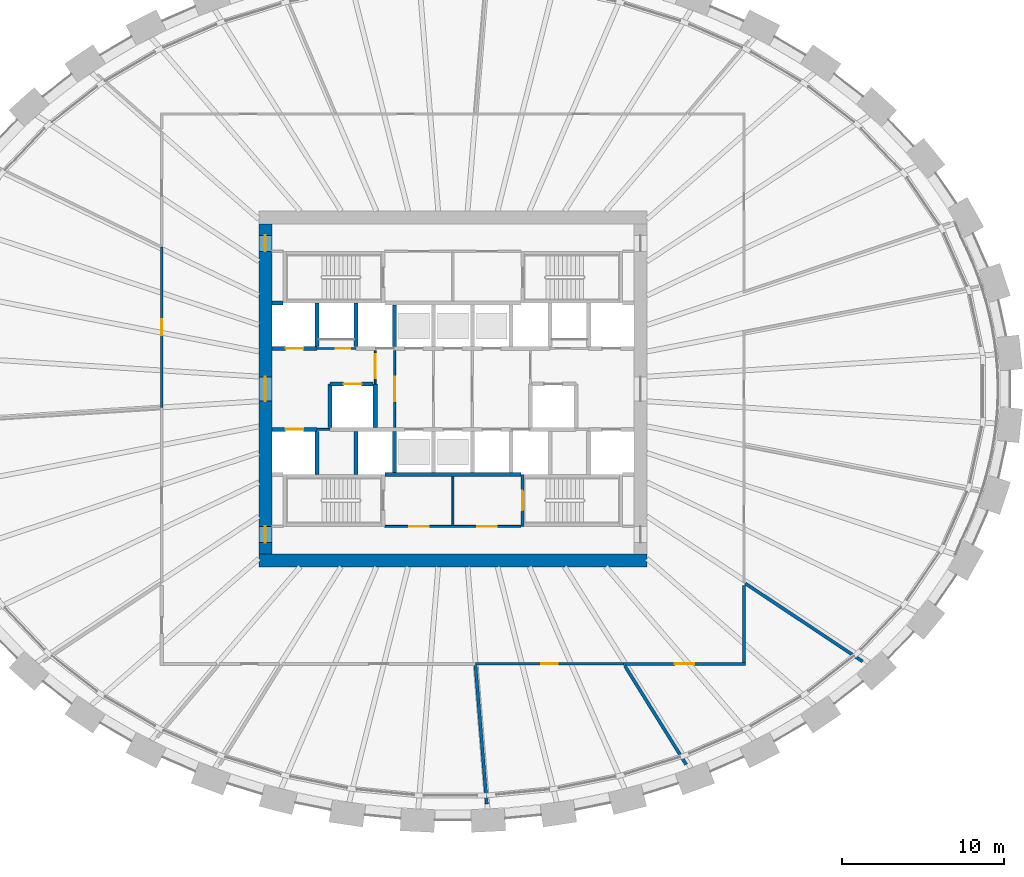
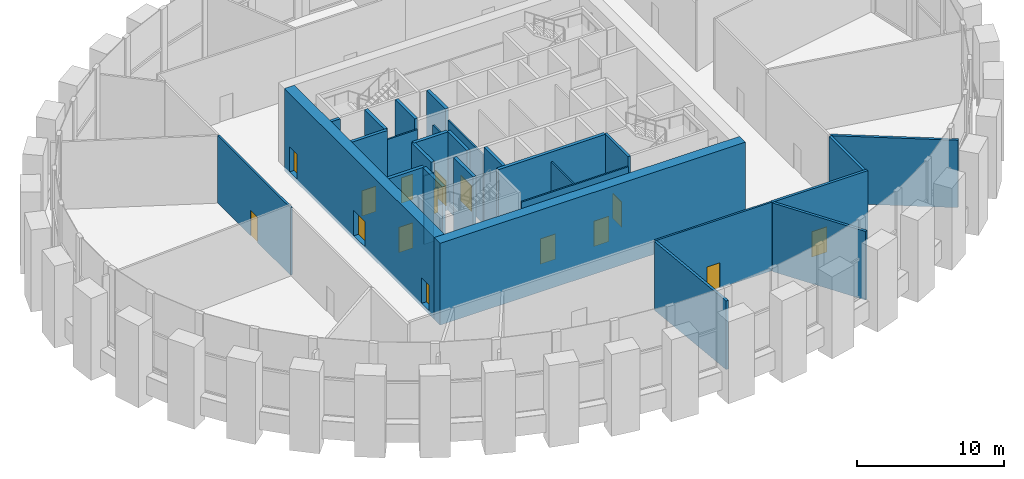
# One storey, part 8 of 16: 29 walls, 15 doors, 15 openings.
"""IFC4 building model written with IfcOpenShell, lengths in metres."""

from ifc_helpers import new_model, si_unit, direction, frame, frame_2d, origin, place, context, subcontext, project, spatial, rectangle, extrude, source, transform, mapped, material, layer, layer_set, type_object, element, fill, save


model = new_model("IFC4")

# Units and contexts
model_context = context("Model", 3, precision=1e-05, world=origin(), true_north=direction((0.0, 1.0)))
body_context = subcontext(model_context, "Body", "Model", "MODEL_VIEW")
ifc_project = project(units=[si_unit("LENGTHUNIT", "METRE"), si_unit("AREAUNIT", "SQUARE_METRE"), si_unit("VOLUMEUNIT", "CUBIC_METRE"), si_unit("PLANEANGLEUNIT", "RADIAN"), si_unit("MASSUNIT", "GRAM", prefix="KILO")], contexts=[model_context])

# Site, building, storey
site_placement = place(None, origin())
site = spatial("IfcSite", under=ifc_project, at=site_placement, CompositionType="ELEMENT")
building_placement = place(site_placement, origin())
building = spatial("IfcBuilding", under=site, at=building_placement, Name="Embergate Tower", CompositionType="ELEMENT")
storey_placement = place(building_placement, frame((0.0, 0.0, 234.60009765625)))
storey = spatial("IfcBuildingStorey", under=building, at=storey_placement, Name="L54", CompositionType="ELEMENT", Elevation=234.60009765625)

# Wall
ifc_material_1 = material(Name="Concrete C70", Category="concrete")
ifc_layer_1 = layer(ifc_material_1, 0.800048828125)
ifc_layer_set_1 = layer_set([ifc_layer_1], Name="Concrete C70")
wall_type_1 = type_object("IfcWallType", Name="Core outer wall C70 800", PredefinedType="SHEAR", material=ifc_layer_set_1)
shared_shape_1 = source(origin(), body_context, "Body", "SweptSolid", [
    extrude(rectangle(XDim=24.0, YDim=0.800048828125, at=frame_2d((12.0, 0.0))), origin(), (0.0, 0.0, 1.0), 6.800048828125),
])
wall_1_placement = place(storey_placement, frame((-12.0, -10.60009765625, -0.300048828125), z_axis=(0.0, 0.0, 1.0), x_axis=(1.0, 0.0, 0.0)))
element("IfcWall", 1, at=wall_1_placement, inside=storey, type_object=wall_type_1, Name="CW-L54-S", PredefinedType="SHEAR", context=body_context, shape_type="MappedRepresentation", body=[
    mapped(shared_shape_1, transform((0.0, 0.0, 0.0))),
])

# Wall, openings, doors
shared_shape_2 = source(origin(), body_context, "Body", "SweptSolid", [
    extrude(rectangle(XDim=20.39990234375, YDim=0.800048828125, at=frame_2d((10.199951171875, 0.0))), origin(), (0.0, 0.0, 1.0), 6.800048828125),
])
wall_2_placement = place(storey_placement, frame((-11.60009765625, -10.199951171875, -0.300048828125), z_axis=(0.0, 0.0, 1.0), x_axis=(0.0, 1.0, 0.0)))
wall_2 = element("IfcWall", 2, at=wall_2_placement, inside=storey, type_object=wall_type_1, Name="CW-L54-W", PredefinedType="SHEAR", context=body_context, shape_type="MappedRepresentation", body=[
    mapped(shared_shape_2, transform((0.0, 0.0, 0.0))),
])
shared_shape_3 = source(origin(), body_context, "Body", "SweptSolid", [
    extrude(rectangle(XDim=1.0, YDim=2.10009765625, at=frame_2d((0.5, 1.050048828125))), frame((0.0, 0.409912109375, 0.0), z_axis=(0.0, -1.0, 0.0), x_axis=(1.0, 0.0, 0.0)), (0.0, 0.0, 1.0), 0.820068359375),
])
opening_1_placement = place(wall_2_placement, frame((18.699951171875, 0.0, 0.300048828125)))
opening_1 = element("IfcOpeningElement", 3, at=opening_1_placement, cuts=wall_2, Name="Opening IF-1d", PredefinedType="OPENING", context=body_context, shape_type="MappedRepresentation", body=[
    mapped(shared_shape_3, transform((0.0, 0.0, 0.0))),
])
opening_2_placement = place(wall_2_placement, frame((0.699951171875, 0.0, 0.300048828125)))
opening_2 = element("IfcOpeningElement", 4, at=opening_2_placement, cuts=wall_2, Name="Opening IF-1d", PredefinedType="OPENING", context=body_context, shape_type="MappedRepresentation", body=[
    mapped(shared_shape_3, transform((0.0, 0.0, 0.0))),
])
shared_shape_4 = source(origin(), body_context, "Body", "SweptSolid", [
    extrude(rectangle(XDim=1.5, YDim=2.10009765625, at=frame_2d((0.75, 1.050048828125))), frame((0.0, 0.409912109375, 0.0), z_axis=(0.0, -1.0, 0.0), x_axis=(1.0, 0.0, 0.0)), (0.0, 0.0, 1.0), 0.820068359375),
])
opening_3_placement = place(wall_2_placement, frame((9.449951171875, 0.0, 0.300048828125)))
opening_3 = element("IfcOpeningElement", 5, at=opening_3_placement, cuts=wall_2, Name="Opening IF-3", PredefinedType="OPENING", context=body_context, shape_type="MappedRepresentation", body=[
    mapped(shared_shape_4, transform((0.0, 0.0, 0.0))),
])
ifc_material_2 = material(Name="Lobby fire door pair 1500")
door_type_1 = type_object("IfcDoorType", Name="Lobby fire door pair 1500", OperationType="DOUBLE_DOOR_SINGLE_SWING", PredefinedType="DOOR", material=ifc_material_2)
shared_shape_5 = source(origin(), body_context, "Body", "SweptSolid", [
    extrude(rectangle(XDim=1.5, YDim=2.10009765625, at=frame_2d((0.75, 1.050048828125))), frame((0.0, 0.02490234375, 0.0), z_axis=(0.0, -1.0, 0.0), x_axis=(1.0, 0.0, 0.0)), (0.0, 0.0, 1.0), 0.050048828125),
])
door_1_placement = place(opening_3_placement, origin())
door_1 = element("IfcDoor", 6, at=door_1_placement, inside=storey, type_object=door_type_1, Name="IF-3 door", OperationType="DOUBLE_DOOR_SINGLE_SWING", OverallHeight=2.10009765625, OverallWidth=1.5, PredefinedType="DOOR", context=body_context, shape_type="MappedRepresentation", body=[
    mapped(shared_shape_5, transform((0.0, 0.0, 0.0))),
])
fill(opening_3, door_1)
ifc_material_3 = material(Name="Escape fire door 1000")
door_type_2 = type_object("IfcDoorType", Name="Escape fire door 1000", OperationType="SINGLE_SWING_LEFT", PredefinedType="DOOR", material=ifc_material_3)
shared_shape_6 = source(origin(), body_context, "Body", "SweptSolid", [
    extrude(rectangle(XDim=1.0, YDim=2.10009765625, at=frame_2d((0.5, 1.050048828125))), frame((0.0, 0.02490234375, 0.0), z_axis=(0.0, -1.0, 0.0), x_axis=(1.0, 0.0, 0.0)), (0.0, 0.0, 1.0), 0.050048828125),
])
door_2_placement = place(opening_1_placement, origin())
door_2 = element("IfcDoor", 7, at=door_2_placement, inside=storey, type_object=door_type_2, Name="IF-1 door", OperationType="SINGLE_SWING_RIGHT", OverallHeight=2.10009765625, OverallWidth=1.0, PredefinedType="DOOR", context=body_context, shape_type="MappedRepresentation", body=[
    mapped(shared_shape_6, transform((0.0, 0.0, 0.0))),
])
fill(opening_1, door_2)
door_3_placement = place(opening_2_placement, origin())
door_3 = element("IfcDoor", 8, at=door_3_placement, inside=storey, type_object=door_type_2, Name="IF-1 door", OperationType="SINGLE_SWING_RIGHT", OverallHeight=2.10009765625, OverallWidth=1.0, PredefinedType="DOOR", context=body_context, shape_type="MappedRepresentation", body=[
    mapped(shared_shape_6, transform((0.0, 0.0, 0.0))),
])
fill(opening_2, door_3)

# Walls
ifc_material_4 = material(Name="Concrete C50", Category="concrete")
ifc_layer_2 = layer(ifc_material_4, 0.25)
ifc_layer_set_2 = layer_set([ifc_layer_2], Name="Concrete C50")
wall_type_2 = type_object("IfcWallType", Name="Hoistway wall reinforced concrete 250", PredefinedType="SHEAR", material=ifc_layer_set_2)
shared_shape_7 = source(origin(), body_context, "Body", "SweptSolid", [
    extrude(rectangle(XDim=2.675048828125, YDim=0.25, at=frame_2d((1.33740234375, 0.0))), origin(), (0.0, 0.0, 1.0), 6.5),
])
for number, where, z_axis, x_axis, name in (
    (9, (-8.39990234375, 2.625, 0.0), (0.0, 0.0, 1.0), (0.0, 1.0, 0.0), "HW-1 wall"),
    (10, (-6.0, 2.625, 0.0), (0.0, 0.0, 1.0), (0.0, 1.0, 0.0), "HW-1 wall"),
    (11, (-4.800048828125, 0.300048828125, 0.0), (0.0, 0.0, 1.0), (0.0, -1.0, 0.0), "HW-1 wall"),
):
    element("IfcWall", number, at=place(storey_placement, frame(where, z_axis=z_axis, x_axis=x_axis)), inside=storey, type_object=wall_type_2, Name=name, PredefinedType="SHEAR", context=body_context, shape_type="MappedRepresentation", body=[
        mapped(shared_shape_7, transform((0.0, 0.0, 0.0))),
    ])

# Wall, opening, door
wall_3_placement = place(storey_placement, frame((-4.925048828125, 0.300048828125, 0.0), z_axis=(0.0, 0.0, 1.0), x_axis=(-1.0, 0.0, 0.0)))
wall_3 = element("IfcWall", 12, at=wall_3_placement, inside=storey, type_object=wall_type_2, Name="HW-1 wall", PredefinedType="SHEAR", context=body_context, shape_type="MappedRepresentation", body=[
    mapped(shared_shape_7, transform((0.0, 0.0, 0.0))),
])
shared_shape_8 = source(origin(), body_context, "Body", "SweptSolid", [
    extrude(rectangle(XDim=1.10009765625, YDim=2.10009765625, at=frame_2d((0.550048828125, 1.050048828125))), frame((0.0, 0.135009765625, 0.0), z_axis=(0.0, -1.0, 0.0), x_axis=(1.0, 0.0, 0.0)), (0.0, 0.0, 1.0), 0.27001953125),
])
opening_4_placement = place(wall_3_placement, frame((0.72509765625, 0.0, 0.0)))
opening_4 = element("IfcOpeningElement", 13, at=opening_4_placement, cuts=wall_3, Name="Opening LD", PredefinedType="OPENING", context=body_context, shape_type="MappedRepresentation", body=[
    mapped(shared_shape_8, transform((0.0, 0.0, 0.0))),
])
ifc_material_5 = material(Name="Landing door sliding 1100")
door_type_3 = type_object("IfcDoorType", Name="Landing door sliding 1100", OperationType="SLIDING_TO_LEFT", PredefinedType="DOOR", material=ifc_material_5)
shared_shape_9 = source(origin(), body_context, "Body", "SweptSolid", [
    extrude(rectangle(XDim=1.10009765625, YDim=2.10009765625, at=frame_2d((0.550048828125, 1.050048828125))), frame((0.0, 0.02490234375, 0.0), z_axis=(0.0, -1.0, 0.0), x_axis=(1.0, 0.0, 0.0)), (0.0, 0.0, 1.0), 0.050048828125),
])
door_4_placement = place(opening_4_placement, origin())
door_4 = element("IfcDoor", 14, at=door_4_placement, inside=storey, type_object=door_type_3, Name="LD door", OperationType="SLIDING_TO_LEFT", OverallHeight=2.10009765625, OverallWidth=1.10009765625, PredefinedType="DOOR", context=body_context, shape_type="MappedRepresentation", body=[
    mapped(shared_shape_9, transform((0.0, 0.0, 0.0))),
])
fill(opening_4, door_4)

# Wall
wall_4_placement = place(storey_placement, frame((-7.60009765625, 0.300048828125, 0.0), z_axis=(0.0, 0.0, 1.0), x_axis=(0.0, -1.0, 0.0)))
element("IfcWall", 15, at=wall_4_placement, inside=storey, type_object=wall_type_2, Name="HW-1 wall", PredefinedType="SHEAR", context=body_context, shape_type="MappedRepresentation", body=[
    mapped(shared_shape_7, transform((0.0, 0.0, 0.0))),
])

# Wall, opening, door
ifc_material_6 = material(Name="Core partition blockwork 120")
ifc_layer_3 = layer(ifc_material_6, 0.1201171875)
ifc_layer_set_3 = layer_set([ifc_layer_3], Name="Core partition blockwork 120")
wall_type_3 = type_object("IfcWallType", Name="Core partition blockwork 120", PredefinedType="PARTITIONING", material=ifc_layer_set_3)
shared_shape_10 = source(origin(), body_context, "Body", "SweptSolid", [
    extrude(rectangle(XDim=2.39990234375, YDim=0.1201171875, at=frame_2d((1.199951171875, 0.0))), origin(), (0.0, 0.0, 1.0), 5.699951171875),
])
wall_5_placement = place(storey_placement, frame((-8.39990234375, 2.5, 0.0), z_axis=(0.0, 0.0, 1.0), x_axis=(1.0, 0.0, 0.0)))
wall_5 = element("IfcWall", 16, at=wall_5_placement, inside=storey, type_object=wall_type_3, Name="IP-3 wall", PredefinedType="PARTITIONING", context=body_context, shape_type="MappedRepresentation", body=[
    mapped(shared_shape_10, transform((0.0, 0.0, 0.0))),
])
shared_shape_11 = source(origin(), body_context, "Body", "SweptSolid", [
    extrude(rectangle(XDim=0.89990234375, YDim=2.10009765625, at=frame_2d((0.449951171875, 1.050048828125))), frame((0.0, 0.070068359375, 0.0), z_axis=(0.0, -1.0, 0.0), x_axis=(1.0, 0.0, 0.0)), (0.0, 0.0, 1.0), 0.14013671875),
])
opening_5_placement = place(wall_5_placement, frame((1.14990234375, 0.0, 0.0)))
opening_5 = element("IfcOpeningElement", 17, at=opening_5_placement, cuts=wall_5, Name="Opening ID-1", PredefinedType="OPENING", context=body_context, shape_type="MappedRepresentation", body=[
    mapped(shared_shape_11, transform((0.0, 0.0, 0.0))),
])
ifc_material_7 = material(Name="Interior door 900")
door_type_4 = type_object("IfcDoorType", Name="Interior door 900", OperationType="SINGLE_SWING_LEFT", PredefinedType="DOOR", material=ifc_material_7)
shared_shape_12 = source(origin(), body_context, "Body", "SweptSolid", [
    extrude(rectangle(XDim=0.89990234375, YDim=2.10009765625, at=frame_2d((0.449951171875, 1.050048828125))), frame((0.0, 0.02490234375, 0.0), z_axis=(0.0, -1.0, 0.0), x_axis=(1.0, 0.0, 0.0)), (0.0, 0.0, 1.0), 0.050048828125),
])
door_5_placement = place(opening_5_placement, origin())
door_5 = element("IfcDoor", 18, at=door_5_placement, inside=storey, type_object=door_type_4, Name="ID-1 door", OperationType="SINGLE_SWING_LEFT", OverallHeight=2.10009765625, OverallWidth=0.89990234375, PredefinedType="DOOR", context=body_context, shape_type="MappedRepresentation", body=[
    mapped(shared_shape_12, transform((0.0, 0.0, 0.0))),
])
fill(opening_5, door_5)

# Walls
shared_shape_13 = source(origin(), body_context, "Body", "SweptSolid", [
    extrude(rectangle(XDim=2.550048828125, YDim=0.25, at=frame_2d((1.27490234375, 0.0))), origin(), (0.0, 0.0, 1.0), 6.5),
])
for number, where, z_axis, x_axis, name in (
    (19, (-3.60009765625, 2.625, 0.0), (0.0, 0.0, 1.0), (0.0, 1.0, 0.0), "HW-1 wall"),
    (20, (-3.60009765625, -5.175048828125, 0.0), (0.0, 0.0, 1.0), (0.0, 1.0, 0.0), "HW-1 wall"),
):
    element("IfcWall", number, at=place(storey_placement, frame(where, z_axis=z_axis, x_axis=x_axis)), inside=storey, type_object=wall_type_2, Name=name, PredefinedType="SHEAR", context=body_context, shape_type="MappedRepresentation", body=[
        mapped(shared_shape_13, transform((0.0, 0.0, 0.0))),
    ])
shared_shape_14 = source(origin(), body_context, "Body", "SweptSolid", [
    extrude(rectangle(XDim=8.39990234375, YDim=0.25, at=frame_2d((4.199951171875, 0.0))), origin(), (0.0, 0.0, 1.0), 6.5),
])
wall_6_placement = place(storey_placement, frame((-4.199951171875, -5.300048828125, 0.0), z_axis=(0.0, 0.0, 1.0), x_axis=(1.0, 0.0, 0.0)))
element("IfcWall", 21, at=wall_6_placement, inside=storey, type_object=wall_type_2, Name="HW-1 wall", PredefinedType="SHEAR", context=body_context, shape_type="MappedRepresentation", body=[
    mapped(shared_shape_14, transform((0.0, 0.0, 0.0))),
])

# Wall, opening, door
shared_shape_15 = source(origin(), body_context, "Body", "SweptSolid", [
    extrude(rectangle(XDim=4.75, YDim=0.1201171875, at=frame_2d((2.375, 0.0))), origin(), (0.0, 0.0, 1.0), 5.699951171875),
])
wall_7_placement = place(storey_placement, frame((-3.60009765625, -2.375, 0.0), z_axis=(0.0, 0.0, 1.0), x_axis=(0.0, 1.0, 0.0)))
wall_7 = element("IfcWall", 22, at=wall_7_placement, inside=storey, type_object=wall_type_3, Name="IP-3 wall", PredefinedType="PARTITIONING", context=body_context, shape_type="MappedRepresentation", body=[
    mapped(shared_shape_15, transform((0.0, 0.0, 0.0))),
])
shared_shape_16 = source(origin(), body_context, "Body", "SweptSolid", [
    extrude(rectangle(XDim=1.5, YDim=2.10009765625, at=frame_2d((0.75, 1.050048828125))), frame((0.0, 0.070068359375, 0.0), z_axis=(0.0, -1.0, 0.0), x_axis=(1.0, 0.0, 0.0)), (0.0, 0.0, 1.0), 0.14013671875),
])
opening_6_placement = place(wall_7_placement, frame((1.625, 0.0, 0.0)))
opening_6 = element("IfcOpeningElement", 23, at=opening_6_placement, cuts=wall_7, Name="Opening IF-3", PredefinedType="OPENING", context=body_context, shape_type="MappedRepresentation", body=[
    mapped(shared_shape_16, transform((0.0, 0.0, 0.0))),
])
door_6_placement = place(opening_6_placement, origin())
door_6 = element("IfcDoor", 24, at=door_6_placement, inside=storey, type_object=door_type_1, Name="IF-3 door", OperationType="DOUBLE_DOOR_SINGLE_SWING", OverallHeight=2.10009765625, OverallWidth=1.5, PredefinedType="DOOR", context=body_context, shape_type="MappedRepresentation", body=[
    mapped(shared_shape_5, transform((0.0, 0.0, 0.0))),
])
fill(opening_6, door_6)

shared_shape_17 = source(origin(), body_context, "Body", "SweptSolid", [
    extrude(rectangle(XDim=2.074951171875, YDim=0.1201171875, at=frame_2d((1.03759765625, 0.0))), origin(), (0.0, 0.0, 1.0), 5.699951171875),
])
wall_8_placement = place(storey_placement, frame((-4.800048828125, 2.375, 0.0), z_axis=(0.0, 0.0, 1.0), x_axis=(0.0, -1.0, 0.0)))
wall_8 = element("IfcWall", 25, at=wall_8_placement, inside=storey, type_object=wall_type_3, Name="IP-3 wall", PredefinedType="PARTITIONING", context=body_context, shape_type="MappedRepresentation", body=[
    mapped(shared_shape_17, transform((0.0, 0.0, 0.0))),
])
opening_7_placement = place(wall_8_placement, frame((0.22509765625, 0.0, 0.0)))
opening_7 = element("IfcOpeningElement", 26, at=opening_7_placement, cuts=wall_8, Name="Opening IF-3", PredefinedType="OPENING", context=body_context, shape_type="MappedRepresentation", body=[
    mapped(shared_shape_16, transform((0.0, 0.0, 0.0))),
])
door_7_placement = place(opening_7_placement, origin())
door_7 = element("IfcDoor", 27, at=door_7_placement, inside=storey, type_object=door_type_1, Name="IF-3 door", OperationType="DOUBLE_DOOR_SINGLE_SWING", OverallHeight=2.10009765625, OverallWidth=1.5, PredefinedType="DOOR", context=body_context, shape_type="MappedRepresentation", body=[
    mapped(shared_shape_5, transform((0.0, 0.0, 0.0))),
])
fill(opening_7, door_7)

ifc_layer_4 = layer(ifc_material_4, 0.199951171875)
ifc_layer_set_4 = layer_set([ifc_layer_4], Name="Concrete C50")
wall_type_4 = type_object("IfcWallType", Name="Stair enclosure wall reinforced concrete 250", PredefinedType="SHEAR", material=ifc_layer_set_4)
shared_shape_18 = source(origin(), body_context, "Body", "SweptSolid", [
    extrude(rectangle(XDim=3.199951171875, YDim=0.199951171875, at=frame_2d((1.60009765625, 0.0))), origin(), (0.0, 0.0, 1.0), 6.5),
])
wall_9_placement = place(storey_placement, frame((4.300048828125, -5.300048828125, 0.0), z_axis=(0.0, 0.0, 1.0), x_axis=(0.0, -1.0, 0.0)))
wall_9 = element("IfcWall", 28, at=wall_9_placement, inside=storey, type_object=wall_type_4, Name="SE-1 wall", PredefinedType="SHEAR", context=body_context, shape_type="MappedRepresentation", body=[
    mapped(shared_shape_18, transform((0.0, 0.0, 0.0))),
])
shared_shape_19 = source(origin(), body_context, "Body", "SweptSolid", [
    extrude(rectangle(XDim=1.199951171875, YDim=2.10009765625, at=frame_2d((0.60009765625, 1.050048828125))), frame((0.0, 0.10986328125, 0.0), z_axis=(0.0, -1.0, 0.0), x_axis=(1.0, 0.0, 0.0)), (0.0, 0.0, 1.0), 0.219970703125),
])
opening_8_placement = place(wall_9_placement, frame((1.0, 0.0, 0.0)))
opening_8 = element("IfcOpeningElement", 29, at=opening_8_placement, cuts=wall_9, Name="Opening IF-2", PredefinedType="OPENING", context=body_context, shape_type="MappedRepresentation", body=[
    mapped(shared_shape_19, transform((0.0, 0.0, 0.0))),
])
ifc_material_8 = material(Name="Stair enclosure door 1200")
door_type_5 = type_object("IfcDoorType", Name="Stair enclosure door 1200", OperationType="SINGLE_SWING_LEFT", PredefinedType="DOOR", material=ifc_material_8)
shared_shape_20 = source(origin(), body_context, "Body", "SweptSolid", [
    extrude(rectangle(XDim=1.199951171875, YDim=2.10009765625, at=frame_2d((0.60009765625, 1.050048828125))), frame((0.0, 0.02490234375, 0.0), z_axis=(0.0, -1.0, 0.0), x_axis=(1.0, 0.0, 0.0)), (0.0, 0.0, 1.0), 0.050048828125),
])
door_8_placement = place(opening_8_placement, origin())
door_8 = element("IfcDoor", 30, at=door_8_placement, inside=storey, type_object=door_type_5, Name="IF-2 door", OperationType="SINGLE_SWING_LEFT", OverallHeight=2.10009765625, OverallWidth=1.199951171875, PredefinedType="DOOR", context=body_context, shape_type="MappedRepresentation", body=[
    mapped(shared_shape_20, transform((0.0, 0.0, 0.0))),
])
fill(opening_8, door_8)

# Wall
shared_shape_21 = source(origin(), body_context, "Body", "SweptSolid", [
    extrude(rectangle(XDim=3.014892578125, YDim=0.1201171875, at=frame_2d((1.50732421875, 0.0))), origin(), (0.0, 0.0, 1.0), 5.699951171875),
])
wall_10_placement = place(storey_placement, frame((0.0, -8.43994140625, 0.0), z_axis=(0.0, 0.0, 1.0), x_axis=(0.0, 1.0, 0.0)))
element("IfcWall", 31, at=wall_10_placement, inside=storey, type_object=wall_type_3, Name="IP-3 wall", PredefinedType="PARTITIONING", context=body_context, shape_type="MappedRepresentation", body=[
    mapped(shared_shape_21, transform((0.0, 0.0, 0.0))),
])

# Wall, openings, doors
shared_shape_22 = source(origin(), body_context, "Body", "SweptSolid", [
    extrude(rectangle(XDim=8.39990234375, YDim=0.1201171875, at=frame_2d((4.199951171875, 0.0))), origin(), (0.0, 0.0, 1.0), 5.699951171875),
])
wall_11_placement = place(storey_placement, frame((-4.199951171875, -8.5, 0.0), z_axis=(0.0, 0.0, 1.0), x_axis=(1.0, 0.0, 0.0)))
wall_11 = element("IfcWall", 32, at=wall_11_placement, inside=storey, type_object=wall_type_3, Name="IP-3 wall", PredefinedType="PARTITIONING", context=body_context, shape_type="MappedRepresentation", body=[
    mapped(shared_shape_22, transform((0.0, 0.0, 0.0))),
])
shared_shape_23 = source(origin(), body_context, "Body", "SweptSolid", [
    extrude(rectangle(XDim=1.199951171875, YDim=2.10009765625, at=frame_2d((0.60009765625, 1.050048828125))), frame((0.0, 0.070068359375, 0.0), z_axis=(0.0, -1.0, 0.0), x_axis=(1.0, 0.0, 0.0)), (0.0, 0.0, 1.0), 0.14013671875),
])
opening_9_placement = place(wall_11_placement, frame((1.5, 0.0, 0.0)))
opening_9 = element("IfcOpeningElement", 33, at=opening_9_placement, cuts=wall_11, Name="Opening IF-3f", PredefinedType="OPENING", context=body_context, shape_type="MappedRepresentation", body=[
    mapped(shared_shape_23, transform((0.0, 0.0, 0.0))),
])
opening_10_placement = place(wall_11_placement, frame((5.699951171875, 0.0, 0.0)))
opening_10 = element("IfcOpeningElement", 34, at=opening_10_placement, cuts=wall_11, Name="Opening IF-3f", PredefinedType="OPENING", context=body_context, shape_type="MappedRepresentation", body=[
    mapped(shared_shape_23, transform((0.0, 0.0, 0.0))),
])
ifc_material_9 = material(Name="Lobby fire door pair 1200")
door_type_6 = type_object("IfcDoorType", Name="Lobby fire door pair 1200", OperationType="DOUBLE_DOOR_SINGLE_SWING", PredefinedType="DOOR", material=ifc_material_9)
door_9_placement = place(opening_9_placement, origin())
door_9 = element("IfcDoor", 35, at=door_9_placement, inside=storey, type_object=door_type_6, Name="IF-3 door", OperationType="DOUBLE_DOOR_SINGLE_SWING", OverallHeight=2.10009765625, OverallWidth=1.199951171875, PredefinedType="DOOR", context=body_context, shape_type="MappedRepresentation", body=[
    mapped(shared_shape_20, transform((0.0, 0.0, 0.0))),
])
fill(opening_9, door_9)
door_10_placement = place(opening_10_placement, origin())
door_10 = element("IfcDoor", 36, at=door_10_placement, inside=storey, type_object=door_type_6, Name="IF-3 door", OperationType="DOUBLE_DOOR_SINGLE_SWING", OverallHeight=2.10009765625, OverallWidth=1.199951171875, PredefinedType="DOOR", context=body_context, shape_type="MappedRepresentation", body=[
    mapped(shared_shape_20, transform((0.0, 0.0, 0.0))),
])
fill(opening_10, door_10)

# Walls
shared_shape_24 = source(origin(), body_context, "Body", "SweptSolid", [
    extrude(rectangle(XDim=2.671142578125, YDim=0.25, at=frame_2d((1.33544921875, 0.0))), origin(), (0.0, 0.0, 1.0), 6.5),
])
for number, where, z_axis, x_axis, name in (
    (37, (-8.39990234375, -5.298095703125, 0.0), (0.0, 0.0, 1.0), (0.0, 1.0, 0.0), "HW-1 wall"),
    (38, (-6.0, -2.626953125, 0.0), (0.0, 0.0, 1.0), (0.0, -1.0, 0.0), "HW-1 wall"),
):
    element("IfcWall", number, at=place(storey_placement, frame(where, z_axis=z_axis, x_axis=x_axis)), inside=storey, type_object=wall_type_2, Name=name, PredefinedType="SHEAR", context=body_context, shape_type="MappedRepresentation", body=[
        mapped(shared_shape_24, transform((0.0, 0.0, 0.0))),
    ])
shared_shape_25 = source(origin(), body_context, "Body", "SweptSolid", [
    extrude(rectangle(XDim=0.7958984375, YDim=0.1201171875, at=frame_2d((0.39794921875, 0.0))), origin(), (0.0, 0.0, 1.0), 5.699951171875),
])
wall_12_placement = place(storey_placement, frame((-8.39794921875, -2.5, 0.0), z_axis=(0.0, 0.0, 1.0), x_axis=(1.0, 0.0, 0.0)))
element("IfcWall", 39, at=wall_12_placement, inside=storey, type_object=wall_type_3, Name="IP-3 wall", PredefinedType="PARTITIONING", context=body_context, shape_type="MappedRepresentation", body=[
    mapped(shared_shape_25, transform((0.0, 0.0, 0.0))),
])

# Wall, opening, door
shared_shape_26 = source(origin(), body_context, "Body", "SweptSolid", [
    extrude(rectangle(XDim=2.800048828125, YDim=0.25, at=frame_2d((1.39990234375, 0.0))), origin(), (0.0, 0.0, 1.0), 6.5),
])
wall_13_placement = place(storey_placement, frame((-11.199951171875, 2.5, 0.0), z_axis=(0.0, 0.0, 1.0), x_axis=(1.0, 0.0, 0.0)))
wall_13 = element("IfcWall", 40, at=wall_13_placement, inside=storey, type_object=wall_type_2, Name="HW-1 wall", PredefinedType="SHEAR", context=body_context, shape_type="MappedRepresentation", body=[
    mapped(shared_shape_26, transform((0.0, 0.0, 0.0))),
])
opening_11_placement = place(wall_13_placement, frame((0.85009765625, 0.0, 0.0)))
opening_11 = element("IfcOpeningElement", 41, at=opening_11_placement, cuts=wall_13, Name="Opening LD", PredefinedType="OPENING", context=body_context, shape_type="MappedRepresentation", body=[
    mapped(shared_shape_8, transform((0.0, 0.0, 0.0))),
])
door_11_placement = place(opening_11_placement, origin())
door_11 = element("IfcDoor", 42, at=door_11_placement, inside=storey, type_object=door_type_3, Name="LD door", OperationType="SLIDING_TO_LEFT", OverallHeight=2.10009765625, OverallWidth=1.10009765625, PredefinedType="DOOR", context=body_context, shape_type="MappedRepresentation", body=[
    mapped(shared_shape_9, transform((0.0, 0.0, 0.0))),
])
fill(opening_11, door_11)

wall_14_placement = place(storey_placement, frame((-8.39990234375, -2.5, 0.0), z_axis=(0.0, 0.0, 1.0), x_axis=(-1.0, 0.0, 0.0)))
wall_14 = element("IfcWall", 43, at=wall_14_placement, inside=storey, type_object=wall_type_2, Name="HW-1 wall", PredefinedType="SHEAR", context=body_context, shape_type="MappedRepresentation", body=[
    mapped(shared_shape_26, transform((0.0, 0.0, 0.0))),
])
opening_12_placement = place(wall_14_placement, frame((0.85009765625, 0.0, 0.0)))
opening_12 = element("IfcOpeningElement", 44, at=opening_12_placement, cuts=wall_14, Name="Opening LD", PredefinedType="OPENING", context=body_context, shape_type="MappedRepresentation", body=[
    mapped(shared_shape_8, transform((0.0, 0.0, 0.0))),
])
door_12_placement = place(opening_12_placement, origin())
door_12 = element("IfcDoor", 45, at=door_12_placement, inside=storey, type_object=door_type_3, Name="LD door", OperationType="SLIDING_TO_LEFT", OverallHeight=2.10009765625, OverallWidth=1.10009765625, PredefinedType="DOOR", context=body_context, shape_type="MappedRepresentation", body=[
    mapped(shared_shape_9, transform((0.0, 0.0, 0.0))),
])
fill(opening_12, door_12)

# Walls
shared_shape_27 = source(origin(), body_context, "Body", "SweptSolid", [
    extrude(rectangle(XDim=0.697998046875, YDim=0.25, at=frame_2d((0.34912109375, 0.0))), origin(), (0.0, 0.0, 1.0), 6.5),
])
wall_15_placement = place(storey_placement, frame((-10.501953125, 5.300048828125, 0.0), z_axis=(0.0, 0.0, 1.0), x_axis=(-1.0, 0.0, 0.0)))
element("IfcWall", 46, at=wall_15_placement, inside=storey, type_object=wall_type_2, Name="HW-1 wall", PredefinedType="SHEAR", context=body_context, shape_type="MappedRepresentation", body=[
    mapped(shared_shape_27, transform((0.0, 0.0, 0.0))),
])
ifc_material_10 = material(Name="Blockwork, plastered", Category="masonry")
ifc_layer_5 = layer(ifc_material_10, 0.199951171875)
ifc_layer_set_5 = layer_set([ifc_layer_5], Name="Blockwork, plastered")
wall_type_5 = type_object("IfcWallType", Name="Fire partition wall 200 block", PredefinedType="PARTITIONING", material=ifc_layer_set_5)
shared_shape_28 = source(origin(), body_context, "Body", "SweptSolid", [
    extrude(rectangle(XDim=8.70263671875, YDim=0.199951171875, at=frame_2d((4.351318359375, 0.0))), origin(), (0.0, 0.0, 1.0), 5.599853515625),
])
wall_16_placement = place(storey_placement, frame((18.0830078125, -12.027099609375, 0.0), z_axis=(0.0, 0.0, 1.0), x_axis=(0.832628176005, -0.553832393891, 0.0)))
element("IfcWall", 47, at=wall_16_placement, inside=storey, type_object=wall_type_5, Name="Partition 027", PredefinedType="PARTITIONING", context=body_context, shape_type="MappedRepresentation", body=[
    mapped(shared_shape_28, transform((0.0, 0.0, 0.0))),
])

# Wall, opening, door
ifc_material_11 = material(Name="Plasterboard on steel stud", Category="steel")
ifc_layer_6 = layer(ifc_material_11, 0.14990234375)
ifc_layer_set_6 = layer_set([ifc_layer_6], Name="Plasterboard on steel stud")
wall_type_6 = type_object("IfcWallType", Name="Partition wall 150 board", PredefinedType="PARTITIONING", material=ifc_layer_set_6)
shared_shape_29 = source(origin(), body_context, "Body", "SweptSolid", [
    extrude(rectangle(XDim=9.929931640625, YDim=0.14990234375, at=frame_2d((4.96484375, 0.0))), origin(), (0.0, 0.0, 1.0), 5.599853515625),
])
wall_17_placement = place(storey_placement, frame((-18.0, -1.159912109375, 0.0), z_axis=(0.0, 0.0, 1.0), x_axis=(0.0, 1.0, 0.0)))
wall_17 = element("IfcWall", 48, at=wall_17_placement, inside=storey, type_object=wall_type_6, Name="Partition 005", PredefinedType="PARTITIONING", context=body_context, shape_type="MappedRepresentation", body=[
    mapped(shared_shape_29, transform((0.0, 0.0, 0.0))),
])
shared_shape_30 = source(origin(), body_context, "Body", "SweptSolid", [
    extrude(rectangle(XDim=1.0, YDim=2.10009765625, at=frame_2d((0.5, 1.050048828125))), frame((0.0, 0.0849609375, 0.0), z_axis=(0.0, -1.0, 0.0), x_axis=(1.0, 0.0, 0.0)), (0.0, 0.0, 1.0), 0.169921875),
])
opening_13_placement = place(wall_17_placement, frame((4.465087890625, 0.0, 0.0)))
opening_13 = element("IfcOpeningElement", 49, at=opening_13_placement, cuts=wall_17, Name="Opening DS-124", PredefinedType="OPENING", context=body_context, shape_type="MappedRepresentation", body=[
    mapped(shared_shape_30, transform((0.0, 0.0, 0.0))),
])
ifc_material_12 = material(Name="Timber door leaf, steel frame", Category="steel")
door_type_7 = type_object("IfcDoorType", Name="Single door 1000x2100", OperationType="SINGLE_SWING_LEFT", PredefinedType="DOOR", material=ifc_material_12)
shared_shape_31 = source(origin(), body_context, "Body", "SweptSolid", [
    extrude(rectangle(XDim=1.0, YDim=2.10009765625, at=frame_2d((0.5, 1.050048828125))), frame((0.0, 0.02490234375, 0.0), z_axis=(0.0, -1.0, 0.0), x_axis=(1.0, 0.0, 0.0)), (0.0, 0.0, 1.0), 0.050048828125),
])
door_13_placement = place(opening_13_placement, origin())
door_13 = element("IfcDoor", 50, at=door_13_placement, inside=storey, type_object=door_type_7, Name="Door to Tenant meeting suite", OperationType="SINGLE_SWING_LEFT", OverallHeight=2.10009765625, OverallWidth=1.0, PredefinedType="DOOR", context=body_context, shape_type="MappedRepresentation", body=[
    mapped(shared_shape_31, transform((0.0, 0.0, 0.0))),
])
fill(opening_13, door_13)

# Wall
shared_shape_32 = source(origin(), body_context, "Body", "SweptSolid", [
    extrude(rectangle(XDim=8.6015625, YDim=0.199951171875, at=frame_2d((4.30078125, 0.0))), origin(), (0.0, 0.0, 1.0), 5.699951171875),
])
wall_18_placement = place(storey_placement, frame((1.39697265625, -17.10009765625, 0.0), z_axis=(0.0, 0.0, 1.0), x_axis=(0.08137524408, -0.996683535357, 0.0)))
element("IfcWall", 51, at=wall_18_placement, inside=storey, type_object=wall_type_5, Name="Partition 018", PredefinedType="PARTITIONING", context=body_context, shape_type="MappedRepresentation", body=[
    mapped(shared_shape_32, transform((0.0, 0.0, 0.0))),
])

# Wall, opening, door
shared_shape_33 = source(origin(), body_context, "Body", "SweptSolid", [
    extrude(rectangle(XDim=9.169189453125, YDim=0.14990234375, at=frame_2d((4.58447265625, 0.0))), origin(), (0.0, 0.0, 1.0), 5.699951171875),
])
wall_19_placement = place(storey_placement, frame((10.55810546875, -17.0, 0.0), z_axis=(0.0, 0.0, 1.0), x_axis=(-1.0, 0.0, 0.0)))
wall_19 = element("IfcWall", 52, at=wall_19_placement, inside=storey, type_object=wall_type_6, Name="Partition 021", PredefinedType="PARTITIONING", context=body_context, shape_type="MappedRepresentation", body=[
    mapped(shared_shape_33, transform((0.0, 0.0, 0.0))),
])
opening_14_placement = place(wall_19_placement, frame((4.0849609375, 0.0, 0.0)))
opening_14 = element("IfcOpeningElement", 53, at=opening_14_placement, cuts=wall_19, Name="Opening DS-129", PredefinedType="OPENING", context=body_context, shape_type="MappedRepresentation", body=[
    mapped(shared_shape_30, transform((0.0, 0.0, 0.0))),
])
door_14_placement = place(opening_14_placement, origin())
door_14 = element("IfcDoor", 54, at=door_14_placement, inside=storey, type_object=door_type_7, Name="Door to Tenant meeting suite", OperationType="SINGLE_SWING_LEFT", OverallHeight=2.10009765625, OverallWidth=1.0, PredefinedType="DOOR", context=body_context, shape_type="MappedRepresentation", body=[
    mapped(shared_shape_31, transform((0.0, 0.0, 0.0))),
])
fill(opening_14, door_14)

# Wall
shared_shape_34 = source(origin(), body_context, "Body", "SweptSolid", [
    extrude(rectangle(XDim=7.1611328125, YDim=0.199951171875, at=frame_2d((3.58056640625, 0.0))), origin(), (0.0, 0.0, 1.0), 5.699951171875),
])
wall_20_placement = place(storey_placement, frame((10.64208984375, -17.135986328125, 0.0), z_axis=(0.0, 0.0, 1.0), x_axis=(0.527680219664, -0.849443103318, 0.0)))
element("IfcWall", 55, at=wall_20_placement, inside=storey, type_object=wall_type_5, Name="Partition 022", PredefinedType="PARTITIONING", context=body_context, shape_type="MappedRepresentation", body=[
    mapped(shared_shape_34, transform((0.0, 0.0, 0.0))),
])

# Wall, opening, door
shared_shape_35 = source(origin(), body_context, "Body", "SweptSolid", [
    extrude(rectangle(XDim=7.5419921875, YDim=0.199951171875, at=frame_2d((3.77099609375, 0.0))), origin(), (0.0, 0.0, 1.0), 5.699951171875),
])
wall_21_placement = place(storey_placement, frame((18.10009765625, -17.0, 0.0), z_axis=(0.0, 0.0, 1.0), x_axis=(-1.0, 0.0, 0.0)))
wall_21 = element("IfcWall", 56, at=wall_21_placement, inside=storey, type_object=wall_type_5, Name="Partition 025", PredefinedType="PARTITIONING", context=body_context, shape_type="MappedRepresentation", body=[
    mapped(shared_shape_35, transform((0.0, 0.0, 0.0))),
])
opening_15_placement = place(wall_21_placement, frame((3.1708984375, 0.0, 0.0)))
opening_15 = element("IfcOpeningElement", 57, at=opening_15_placement, cuts=wall_21, Name="Opening DS-130", PredefinedType="OPENING", context=body_context, shape_type="MappedRepresentation", body=[
    mapped(shared_shape_19, transform((0.0, 0.0, 0.0))),
])
door_type_8 = type_object("IfcDoorType", Name="Plant door 1200x2100", OperationType="SINGLE_SWING_LEFT", PredefinedType="DOOR", material=ifc_material_12)
shared_shape_36 = source(origin(), body_context, "Body", "SweptSolid", [
    extrude(rectangle(XDim=1.199951171875, YDim=2.10009765625, at=frame_2d((0.60009765625, 1.050048828125))), frame((0.0, 0.02490234375, 0.0), z_axis=(0.0, -1.0, 0.0), x_axis=(1.0, 0.0, 0.0)), (0.0, 0.0, 1.0), 0.050048828125),
])
door_15_placement = place(opening_15_placement, origin())
door_15 = element("IfcDoor", 58, at=door_15_placement, inside=storey, type_object=door_type_8, Name="Door to Sky lobby waiting area", OperationType="SINGLE_SWING_LEFT", OverallHeight=2.10009765625, OverallWidth=1.199951171875, PredefinedType="DOOR", context=body_context, shape_type="MappedRepresentation", body=[
    mapped(shared_shape_36, transform((0.0, 0.0, 0.0))),
])
fill(opening_15, door_15)

# Wall
shared_shape_37 = source(origin(), body_context, "Body", "SweptSolid", [
    extrude(rectangle(XDim=4.7578125, YDim=0.199951171875, at=frame_2d((2.37890625, 0.0))), origin(), (0.0, 0.0, 1.0), 5.599853515625),
])
wall_22_placement = place(storey_placement, frame((18.0, -12.14208984375, 0.0), z_axis=(0.0, 0.0, 1.0), x_axis=(0.0, -1.0, 0.0)))
element("IfcWall", 59, at=wall_22_placement, inside=storey, type_object=wall_type_5, Name="Partition 026", PredefinedType="PARTITIONING", context=body_context, shape_type="MappedRepresentation", body=[
    mapped(shared_shape_37, transform((0.0, 0.0, 0.0))),
])

save(model, "model.ifc")
